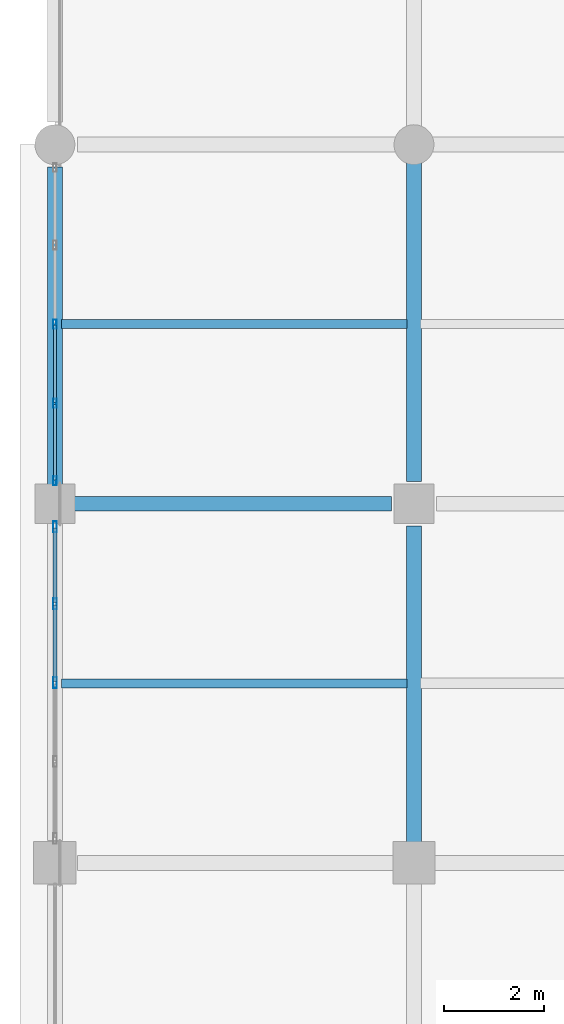
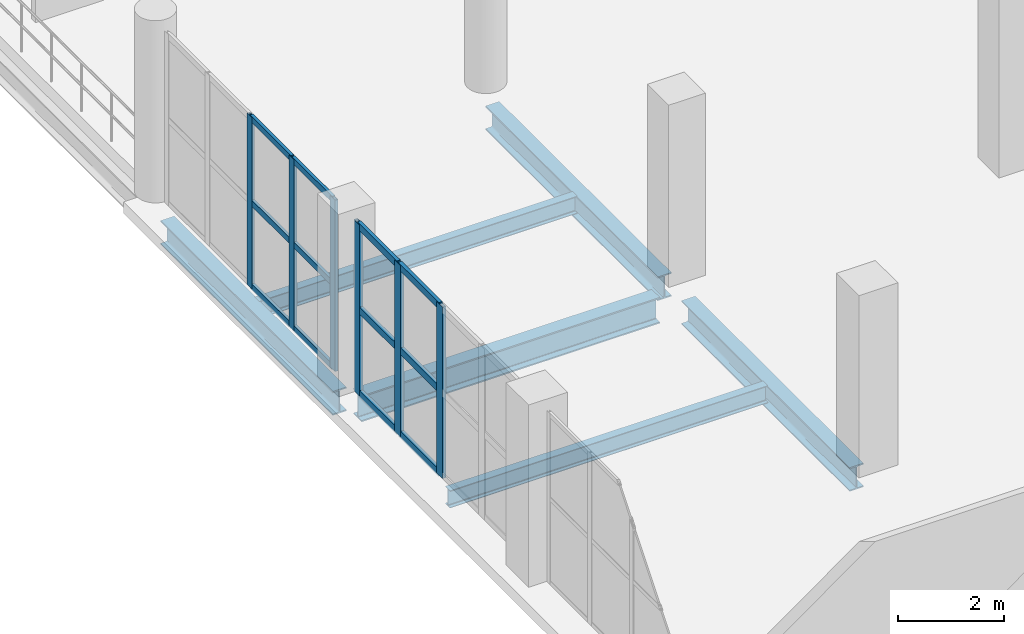
# One storey, part 49 of 153: 18 members, 6 beams, 2 elements without a shape of their own.
"""IFC4 building model written with IfcOpenShell, lengths in metres."""

from ifc_helpers import new_model, si_unit, direction, frame, origin, origin_2d, place, context, subcontext, project, spatial, hollow_rectangle, i_section, extrude, material, material_profile, profile_set, type_object, element, aggregate, save


model = new_model("IFC4")

# Units and contexts
model_context = context("Model", 3, precision=1e-05, world=origin(), true_north=direction((0.0, 1.0)))
body_context = subcontext(model_context, "Body", "Model", "MODEL_VIEW")
ifc_project = project(units=[si_unit("LENGTHUNIT", "METRE"), si_unit("AREAUNIT", "SQUARE_METRE"), si_unit("VOLUMEUNIT", "CUBIC_METRE"), si_unit("PLANEANGLEUNIT", "RADIAN"), si_unit("MASSUNIT", "GRAM", prefix="KILO")], contexts=[model_context])

# Site, building, storey
site_placement = place(None, origin())
site = spatial("IfcSite", under=ifc_project, at=site_placement, CompositionType="ELEMENT")
building_placement = place(site_placement, origin())
building = spatial("IfcBuilding", under=site, at=building_placement, Name="Qandorah Velis Arena", CompositionType="ELEMENT")
storey_placement = place(building_placement, frame((0.0, 0.0, 5.39990234375)))
storey = spatial("IfcBuildingStorey", under=building, at=storey_placement, Name="L01", CompositionType="ELEMENT", Elevation=5.39990234375)

# Curtain wall, members
ifc_material_1 = material(Name="Solar-control low-E double glazing", Category="glass")
curtain_wall_type_1 = type_object("IfcCurtainWallType", Name="ARC-CW-SYS10", PredefinedType="USERDEFINED", material=ifc_material_1)
curtain_wall_1_placement = place(storey_placement, origin())
curtain_wall_1 = element("IfcCurtainWall", 1, at=curtain_wall_1_placement, inside=storey, type_object=curtain_wall_type_1, Name="Unitised curtain wall L01-010", ObjectType="UNITISED CURTAIN WALL", PredefinedType="USERDEFINED")
ifc_material_2 = material(Name="Champagne-bronze anodized aluminium 6063-T6", Category="aluminium")
ifc_material_profile_1 = material_profile(ifc_material_2, hollow_rectangle(XDim=0.06494140625, YDim=0.179931640625, WallThickness=0.00341796875, at=origin_2d()), Name="ALU MULLION 65x180")
ifc_profile_set_1 = profile_set([ifc_material_profile_1], Name="Champagne-bronze anodized aluminium 6063-T6")
member_type_1 = type_object("IfcMemberType", Name="ARC-CWM-180", PredefinedType="MULLION", material=ifc_profile_set_1)
member_1_placement = place(storey_placement, frame((0.0, 108.45751953125, -0.014892578125), z_axis=(0.0, 0.0, 1.0), x_axis=(-1.0, 0.0, 0.0)))
member_1 = element("IfcMember", 2, at=member_1_placement, type_object=member_type_1, Name="CW10 mullion 1", PredefinedType="MULLION", context=body_context, shape_type="SweptSolid", body=[
    extrude(hollow_rectangle(XDim=0.06494140625, YDim=0.179931640625, WallThickness=0.00341796875, at=origin_2d()), origin(), (0.0, 0.0, 1.0), 3.949951171875),
])
member_2_placement = place(storey_placement, frame((0.0, 110.012451171875, -0.014892578125), z_axis=(0.0, 0.0, 1.0), x_axis=(-1.0, 0.0, 0.0)))
member_2 = element("IfcMember", 3, at=member_2_placement, type_object=member_type_1, Name="CW10 mullion 2", PredefinedType="MULLION", context=body_context, shape_type="SweptSolid", body=[
    extrude(hollow_rectangle(XDim=0.06494140625, YDim=0.179931640625, WallThickness=0.00341796875, at=origin_2d()), origin(), (0.0, 0.0, 1.0), 3.949951171875),
])
member_3_placement = place(storey_placement, frame((0.0, 111.60009765625, -0.014892578125), z_axis=(0.0, 0.0, 1.0), x_axis=(-1.0, 0.0, 0.0)))
member_3 = element("IfcMember", 4, at=member_3_placement, type_object=member_type_1, Name="CW10 mullion 3", PredefinedType="MULLION", context=body_context, shape_type="SweptSolid", body=[
    extrude(hollow_rectangle(XDim=0.06494140625, YDim=0.179931640625, WallThickness=0.00341796875, at=origin_2d()), origin(), (0.0, 0.0, 1.0), 3.949951171875),
])

curtain_wall_type_2 = type_object("IfcCurtainWallType", Name="ARC-CW-SYS09", PredefinedType="USERDEFINED", material=ifc_material_1)
curtain_wall_2_placement = place(storey_placement, origin())
curtain_wall_2 = element("IfcCurtainWall", 5, at=curtain_wall_2_placement, inside=storey, type_object=curtain_wall_type_2, Name="Unitised curtain wall L01-009", ObjectType="UNITISED CURTAIN WALL", PredefinedType="USERDEFINED")
ifc_material_profile_2 = material_profile(ifc_material_2, hollow_rectangle(XDim=0.074951171875, YDim=0.219970703125, WallThickness=0.00390625, at=origin_2d()), Name="ALU MULLION 75x220")
ifc_profile_set_2 = profile_set([ifc_material_profile_2], Name="Champagne-bronze anodized aluminium 6063-T6")
member_type_2 = type_object("IfcMemberType", Name="ARC-CWM-220", PredefinedType="MULLION", material=ifc_profile_set_2)
member_4_placement = place(storey_placement, frame((0.0, 104.41259765625, -0.014892578125), z_axis=(0.0, 0.0, 1.0), x_axis=(-1.0, 0.0, 0.0)))
member_4 = element("IfcMember", 6, at=member_4_placement, type_object=member_type_2, Name="CW09 mullion 3", PredefinedType="MULLION", context=body_context, shape_type="SweptSolid", body=[
    extrude(hollow_rectangle(XDim=0.074951171875, YDim=0.219970703125, WallThickness=0.00390625, at=origin_2d()), origin(), (0.0, 0.0, 1.0), 3.949951171875),
])
member_5_placement = place(storey_placement, frame((0.0, 105.99365234375, -0.014892578125), z_axis=(0.0, 0.0, 1.0), x_axis=(-1.0, 0.0, 0.0)))
member_5 = element("IfcMember", 7, at=member_5_placement, type_object=member_type_2, Name="CW09 mullion 4", PredefinedType="MULLION", context=body_context, shape_type="SweptSolid", body=[
    extrude(hollow_rectangle(XDim=0.074951171875, YDim=0.219970703125, WallThickness=0.00390625, at=origin_2d()), origin(), (0.0, 0.0, 1.0), 3.949951171875),
])
member_6_placement = place(storey_placement, frame((0.0, 107.53759765625, -0.014892578125), z_axis=(0.0, 0.0, 1.0), x_axis=(-1.0, 0.0, 0.0)))
member_6 = element("IfcMember", 8, at=member_6_placement, type_object=member_type_2, Name="CW09 mullion 5", PredefinedType="MULLION", context=body_context, shape_type="SweptSolid", body=[
    extrude(hollow_rectangle(XDim=0.074951171875, YDim=0.219970703125, WallThickness=0.00390625, at=origin_2d()), origin(), (0.0, 0.0, 1.0), 3.949951171875),
])

# Member
ifc_material_profile_3 = material_profile(ifc_material_2, hollow_rectangle(XDim=0.06494140625, YDim=0.139892578125, WallThickness=0.0029296875, at=origin_2d()), Name="ALU TRANSOM 65x140")
ifc_profile_set_3 = profile_set([ifc_material_profile_3], Name="Champagne-bronze anodized aluminium 6063-T6")
member_type_3 = type_object("IfcMemberType", Name="ARC-CWT-140", PredefinedType="USERDEFINED", material=ifc_profile_set_3)
member_7_placement = place(storey_placement, frame((0.0, 108.47802734375, 0.03271484375), z_axis=(0.0, 1.0, 0.0), x_axis=(-1.0, 0.0, 0.0)))
member_7 = element("IfcMember", 9, at=member_7_placement, type_object=member_type_3, Name="CW10 transom 1.1", ObjectType="TRANSOM", PredefinedType="USERDEFINED", context=body_context, shape_type="SweptSolid", body=[
    extrude(hollow_rectangle(XDim=0.06494140625, YDim=0.139892578125, WallThickness=0.0029296875, at=origin_2d()), origin(), (0.0, 0.0, 1.0), 1.513916015625),
])

member_8_placement = place(storey_placement, frame((0.0, 108.47802734375, 1.960205078125), z_axis=(0.0, 1.0, 0.0), x_axis=(-1.0, 0.0, 0.0)))
member_8 = element("IfcMember", 10, at=member_8_placement, type_object=member_type_3, Name="CW10 transom 1.2", ObjectType="TRANSOM", PredefinedType="USERDEFINED", context=body_context, shape_type="SweptSolid", body=[
    extrude(hollow_rectangle(XDim=0.06494140625, YDim=0.139892578125, WallThickness=0.0029296875, at=origin_2d()), origin(), (0.0, 0.0, 1.0), 1.513916015625),
])

member_9_placement = place(storey_placement, frame((0.0, 108.47802734375, 3.8876953125), z_axis=(0.0, 1.0, 0.0), x_axis=(-1.0, 0.0, 0.0)))
member_9 = element("IfcMember", 11, at=member_9_placement, type_object=member_type_3, Name="CW10 transom 1.3", ObjectType="TRANSOM", PredefinedType="USERDEFINED", context=body_context, shape_type="SweptSolid", body=[
    extrude(hollow_rectangle(XDim=0.06494140625, YDim=0.139892578125, WallThickness=0.0029296875, at=origin_2d()), origin(), (0.0, 0.0, 1.0), 1.513916015625),
])

member_10_placement = place(storey_placement, frame((0.0, 110.032958984375, 0.03271484375), z_axis=(0.0, 1.0, 0.0), x_axis=(-1.0, 0.0, 0.0)))
member_10 = element("IfcMember", 12, at=member_10_placement, type_object=member_type_3, Name="CW10 transom 2.1", ObjectType="TRANSOM", PredefinedType="USERDEFINED", context=body_context, shape_type="SweptSolid", body=[
    extrude(hollow_rectangle(XDim=0.06494140625, YDim=0.139892578125, WallThickness=0.0029296875, at=origin_2d()), origin(), (0.0, 0.0, 1.0), 1.546630859375),
])

member_11_placement = place(storey_placement, frame((0.0, 110.032958984375, 1.960205078125), z_axis=(0.0, 1.0, 0.0), x_axis=(-1.0, 0.0, 0.0)))
member_11 = element("IfcMember", 13, at=member_11_placement, type_object=member_type_3, Name="CW10 transom 2.2", ObjectType="TRANSOM", PredefinedType="USERDEFINED", context=body_context, shape_type="SweptSolid", body=[
    extrude(hollow_rectangle(XDim=0.06494140625, YDim=0.139892578125, WallThickness=0.0029296875, at=origin_2d()), origin(), (0.0, 0.0, 1.0), 1.546630859375),
])

member_12_placement = place(storey_placement, frame((0.0, 110.032958984375, 3.8876953125), z_axis=(0.0, 1.0, 0.0), x_axis=(-1.0, 0.0, 0.0)))
member_12 = element("IfcMember", 14, at=member_12_placement, type_object=member_type_3, Name="CW10 transom 2.3", ObjectType="TRANSOM", PredefinedType="USERDEFINED", context=body_context, shape_type="SweptSolid", body=[
    extrude(hollow_rectangle(XDim=0.06494140625, YDim=0.139892578125, WallThickness=0.0029296875, at=origin_2d()), origin(), (0.0, 0.0, 1.0), 1.546630859375),
])

aggregate(curtain_wall_1, [member_1, member_2, member_3, member_7, member_8, member_9, member_10, member_11, member_12])

ifc_material_profile_4 = material_profile(ifc_material_2, hollow_rectangle(XDim=0.074951171875, YDim=0.159912109375, WallThickness=0.00341796875, at=origin_2d()), Name="ALU TRANSOM 75x160")
ifc_profile_set_4 = profile_set([ifc_material_profile_4], Name="Champagne-bronze anodized aluminium 6063-T6")
member_type_4 = type_object("IfcMemberType", Name="ARC-CWT-160", PredefinedType="USERDEFINED", material=ifc_profile_set_4)
member_13_placement = place(storey_placement, frame((0.0, 104.43798828125, 0.03759765625), z_axis=(0.0, 1.0, 0.0), x_axis=(-1.0, 0.0, 0.0)))
member_13 = element("IfcMember", 15, at=member_13_placement, type_object=member_type_4, Name="CW09 transom 3.1", ObjectType="TRANSOM", PredefinedType="USERDEFINED", context=body_context, shape_type="SweptSolid", body=[
    extrude(hollow_rectangle(XDim=0.074951171875, YDim=0.159912109375, WallThickness=0.00341796875, at=origin_2d()), origin(), (0.0, 0.0, 1.0), 1.5302734375),
])

member_14_placement = place(storey_placement, frame((0.0, 104.43798828125, 1.960205078125), z_axis=(0.0, 1.0, 0.0), x_axis=(-1.0, 0.0, 0.0)))
member_14 = element("IfcMember", 16, at=member_14_placement, type_object=member_type_4, Name="CW09 transom 3.2", ObjectType="TRANSOM", PredefinedType="USERDEFINED", context=body_context, shape_type="SweptSolid", body=[
    extrude(hollow_rectangle(XDim=0.074951171875, YDim=0.159912109375, WallThickness=0.00341796875, at=origin_2d()), origin(), (0.0, 0.0, 1.0), 1.5302734375),
])

member_15_placement = place(storey_placement, frame((0.0, 104.43798828125, 3.882568359375), z_axis=(0.0, 1.0, 0.0), x_axis=(-1.0, 0.0, 0.0)))
member_15 = element("IfcMember", 17, at=member_15_placement, type_object=member_type_4, Name="CW09 transom 3.3", ObjectType="TRANSOM", PredefinedType="USERDEFINED", context=body_context, shape_type="SweptSolid", body=[
    extrude(hollow_rectangle(XDim=0.074951171875, YDim=0.159912109375, WallThickness=0.00341796875, at=origin_2d()), origin(), (0.0, 0.0, 1.0), 1.5302734375),
])

member_16_placement = place(storey_placement, frame((0.0, 106.019287109375, 0.03759765625), z_axis=(0.0, 1.0, 0.0), x_axis=(-1.0, 0.0, 0.0)))
member_16 = element("IfcMember", 18, at=member_16_placement, type_object=member_type_4, Name="CW09 transom 4.1", ObjectType="TRANSOM", PredefinedType="USERDEFINED", context=body_context, shape_type="SweptSolid", body=[
    extrude(hollow_rectangle(XDim=0.074951171875, YDim=0.159912109375, WallThickness=0.00341796875, at=origin_2d()), origin(), (0.0, 0.0, 1.0), 1.49267578125),
])

member_17_placement = place(storey_placement, frame((0.0, 106.019287109375, 1.960205078125), z_axis=(0.0, 1.0, 0.0), x_axis=(-1.0, 0.0, 0.0)))
member_17 = element("IfcMember", 19, at=member_17_placement, type_object=member_type_4, Name="CW09 transom 4.2", ObjectType="TRANSOM", PredefinedType="USERDEFINED", context=body_context, shape_type="SweptSolid", body=[
    extrude(hollow_rectangle(XDim=0.074951171875, YDim=0.159912109375, WallThickness=0.00341796875, at=origin_2d()), origin(), (0.0, 0.0, 1.0), 1.49267578125),
])

member_18_placement = place(storey_placement, frame((0.0, 106.019287109375, 3.882568359375), z_axis=(0.0, 1.0, 0.0), x_axis=(-1.0, 0.0, 0.0)))
member_18 = element("IfcMember", 20, at=member_18_placement, type_object=member_type_4, Name="CW09 transom 4.3", ObjectType="TRANSOM", PredefinedType="USERDEFINED", context=body_context, shape_type="SweptSolid", body=[
    extrude(hollow_rectangle(XDim=0.074951171875, YDim=0.159912109375, WallThickness=0.00341796875, at=origin_2d()), origin(), (0.0, 0.0, 1.0), 1.49267578125),
])

aggregate(curtain_wall_2, [member_4, member_5, member_6, member_13, member_14, member_15, member_16, member_17, member_18])

# Beams
ifc_material_3 = material(Name="Steel S355", Category="steel")
ifc_material_profile_5 = material_profile(ifc_material_3, i_section(OverallWidth=0.300048828125, OverallDepth=0.550048828125, WebThickness=0.014892578125, FlangeThickness=0.029052734375, FilletRadius=0.027099609375, at=origin_2d()), Name="HEB 550")
ifc_profile_set_5 = profile_set([ifc_material_profile_5], Name="Steel S355")
beam_type_1 = type_object("IfcBeamType", Name="STR-BM-HEB550", PredefinedType="BEAM", material=ifc_profile_set_5)
beam_1_placement = place(storey_placement, frame((0.0, 108.25, -0.635009765625), z_axis=(0.0, 1.0, 0.0), x_axis=(-1.0, 0.0, 0.0)))
element("IfcBeam", 21, at=beam_1_placement, inside=storey, type_object=beam_type_1, Name="Primary floor girder L01 Y-235", PredefinedType="BEAM", context=body_context, shape_type="SweptSolid", body=[
    extrude(i_section(OverallWidth=0.300048828125, OverallDepth=0.550048828125, WebThickness=0.014892578125, FlangeThickness=0.029052734375, FilletRadius=0.027099609375, at=origin_2d()), origin(), (0.0, 0.0, 1.0), 6.5),
])
beam_2_placement = place(storey_placement, frame((7.199951171875, 101.199951171875, -0.635009765625), z_axis=(0.0, 1.0, 0.0), x_axis=(-1.0, 0.0, 0.0)))
element("IfcBeam", 22, at=beam_2_placement, inside=storey, type_object=beam_type_1, Name="Primary floor girder L01 Y-252", PredefinedType="BEAM", context=body_context, shape_type="SweptSolid", body=[
    extrude(i_section(OverallWidth=0.300048828125, OverallDepth=0.550048828125, WebThickness=0.014892578125, FlangeThickness=0.029052734375, FilletRadius=0.027099609375, at=origin_2d()), origin(), (0.0, 0.0, 1.0), 6.35009765625),
])
beam_3_placement = place(storey_placement, frame((7.199951171875, 108.449951171875, -0.635009765625), z_axis=(0.0, 1.0, 0.0), x_axis=(-1.0, 0.0, 0.0)))
element("IfcBeam", 23, at=beam_3_placement, inside=storey, type_object=beam_type_1, Name="Primary floor girder L01 Y-253", PredefinedType="BEAM", context=body_context, shape_type="SweptSolid", body=[
    extrude(i_section(OverallWidth=0.300048828125, OverallDepth=0.550048828125, WebThickness=0.014892578125, FlangeThickness=0.029052734375, FilletRadius=0.027099609375, at=origin_2d()), origin(), (0.0, 0.0, 1.0), 6.5),
])
ifc_material_profile_6 = material_profile(ifc_material_3, i_section(OverallWidth=0.300048828125, OverallDepth=0.60009765625, WebThickness=0.015380859375, FlangeThickness=0.030029296875, FilletRadius=0.027099609375, at=origin_2d()), Name="HEB 600")
ifc_profile_set_6 = profile_set([ifc_material_profile_6], Name="Steel S355")
beam_type_2 = type_object("IfcBeamType", Name="STR-BM-HEB600", PredefinedType="BEAM", material=ifc_profile_set_6)
beam_4_placement = place(storey_placement, frame((0.25, 108.0, -0.659912109375), z_axis=(1.0, 0.0, 0.0), x_axis=(0.0, 1.0, 0.0)))
element("IfcBeam", 24, at=beam_4_placement, inside=storey, type_object=beam_type_2, Name="Primary floor girder L01 X-153", PredefinedType="BEAM", context=body_context, shape_type="SweptSolid", body=[
    extrude(i_section(OverallWidth=0.300048828125, OverallDepth=0.60009765625, WebThickness=0.015380859375, FlangeThickness=0.030029296875, FilletRadius=0.027099609375, at=origin_2d()), origin(), (0.0, 0.0, 1.0), 6.5),
])
ifc_material_profile_7 = material_profile(ifc_material_3, i_section(OverallWidth=0.179931640625, OverallDepth=0.39990234375, WebThickness=0.008544921875, FlangeThickness=0.013427734375, FilletRadius=0.02099609375, at=origin_2d()), Name="IPE 400")
ifc_profile_set_7 = profile_set([ifc_material_profile_7], Name="Steel S355")
beam_type_3 = type_object("IfcBeamType", Name="STR-JST-IPE400", PredefinedType="JOIST", material=ifc_profile_set_7)
for number, where, z_axis, x_axis, name in (
    (25, (0.135009765625, 104.39990234375, -0.559814453125), (1.0, 0.0, 0.0), (0.0, 1.0, 0.0), "Secondary floor joist L01-011"),
    (26, (0.135009765625, 111.60009765625, -0.559814453125), (1.0, 0.0, 0.0), (0.0, 1.0, 0.0), "Secondary floor joist L01-012"),
):
    element("IfcBeam", number, at=place(storey_placement, frame(where, z_axis=z_axis, x_axis=x_axis)), inside=storey, type_object=beam_type_3, Name=name, PredefinedType="JOIST", context=body_context, shape_type="SweptSolid", body=[
        extrude(i_section(OverallWidth=0.179931640625, OverallDepth=0.39990234375, WebThickness=0.008544921875, FlangeThickness=0.013427734375, FilletRadius=0.02099609375, at=origin_2d()), origin(), (0.0, 0.0, 1.0), 6.929931640625),
    ])

save(model, "model.ifc")
